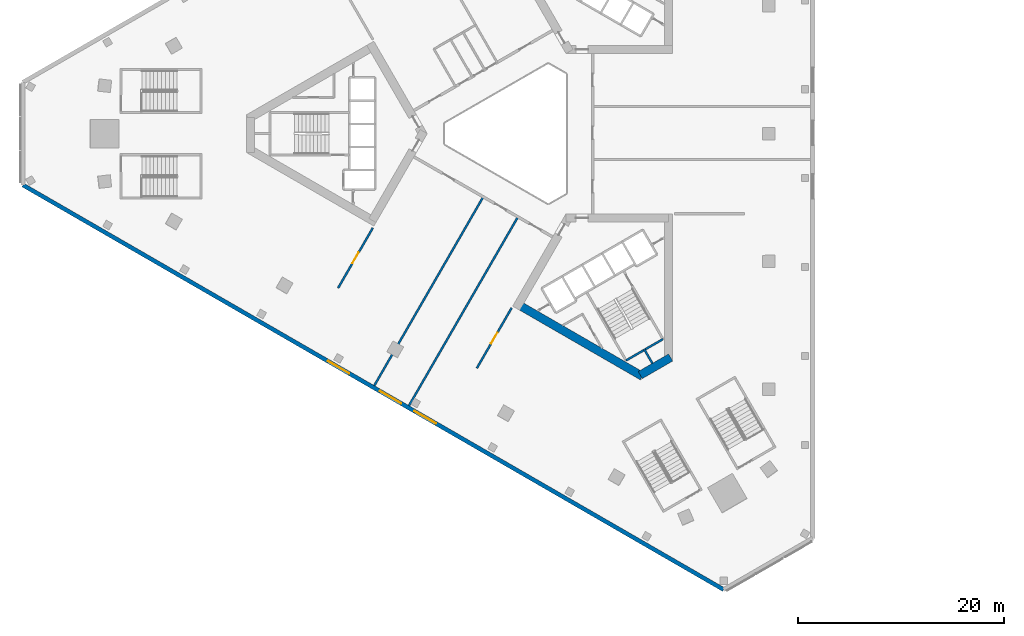
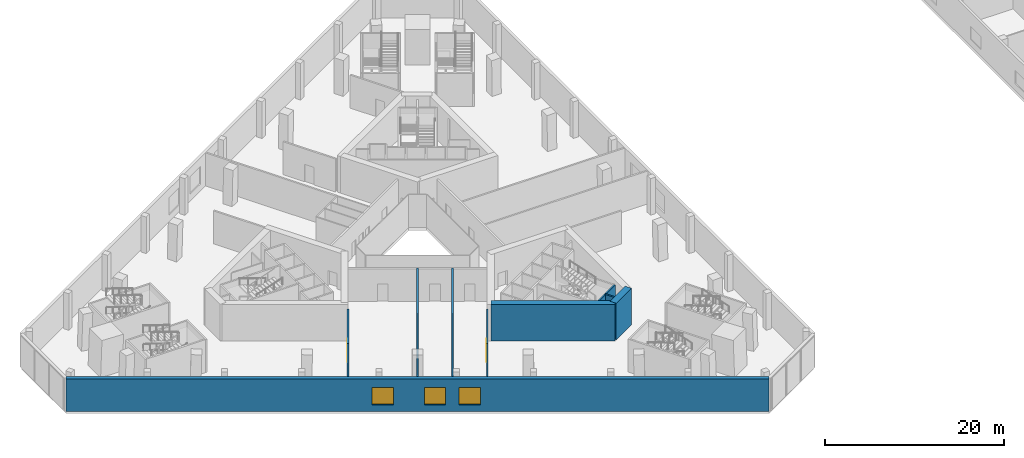
# One storey, part 10 of 36: 9 walls, 3 windows, 2 doors, 5 openings.
"""IFC4 building model written with IfcOpenShell, lengths in metres."""

import ifcopenshell
import ifcopenshell.guid

model = None  # the IFC model being written
_history = None  # IfcOwnerHistory: only IFC2X3 demands one
_inside = {}  # id of a spatial element -> (the spatial element, [elements in it])
_under = {}  # id of a project, library or spatial element -> (it, [spatial elements below it])
_declared = {}  # id of a project -> (the project, [libraries it declares])
_typed = {}  # id of a type object -> (the type object, [elements of that type])
_made_of = {}  # id of a material, layer set ... -> (it, [elements and type objects made of it])


def new_model(schema):
    """Start an empty IFC model of exactly this schema.

    Asked for "IFC4X3", IfcOpenShell would pick the latest addendum, in which some entities
    have other attributes; the version numbers below select the first issue.
    IFC2X3 requires an IfcOwnerHistory on every rooted entity: one is made here for all.
    """
    global model, _history
    if schema == "IFC4X3":
        model = ifcopenshell.file(schema_version=(4, 3, 0, 0))
    else:
        model = ifcopenshell.file(schema=schema)
    _inside.clear()
    _under.clear()
    _declared.clear()
    _typed.clear()
    _made_of.clear()
    _history = None
    if model.schema == "IFC2X3":
        org = make("IfcOrganization", Name="unknown")
        user = make(
            "IfcPersonAndOrganization",
            ThePerson=make("IfcPerson", FamilyName="unknown"),
            TheOrganization=org,
        )
        app = make(
            "IfcApplication",
            ApplicationDeveloper=org,
            Version="unknown",
            ApplicationFullName="unknown",
            ApplicationIdentifier="unknown",
        )
        _history = make(
            "IfcOwnerHistory",
            OwningUser=user,
            OwningApplication=app,
            ChangeAction="ADDED",
            CreationDate=0,
        )
    return model


def make(cls, **values):
    """One entity of the class cls with the attributes given. An attribute that is None is left unset."""
    return model.create_entity(
        cls, **{name: value for name, value in values.items() if value is not None}
    )


def rooted(cls, **values):
    """An entity with a GlobalId (a new one), such as an element, a storey or a relation."""
    return make(cls, GlobalId=ifcopenshell.guid.new(), OwnerHistory=_history, **values)


def si_unit(unit_type, name, prefix=None):
    """IfcSIUnit, for example si_unit("LENGTHUNIT", "METRE", prefix="MILLI")."""
    return make("IfcSIUnit", UnitType=unit_type, Prefix=prefix, Name=name)


def assignment(units):
    """IfcUnitAssignment: the units of a project."""
    return None if units is None else make("IfcUnitAssignment", Units=units)


def point(xyz):
    """IfcCartesianPoint."""
    return None if xyz is None else make("IfcCartesianPoint", Coordinates=xyz)


def direction(xyz):
    """IfcDirection."""
    return None if xyz is None else make("IfcDirection", DirectionRatios=xyz)


def frame(location, z_axis=None, x_axis=None):
    """IfcAxis2Placement3D, a coordinate frame: its origin and axes. An axis left out is left unset."""
    return make(
        "IfcAxis2Placement3D",
        Location=point(location),
        Axis=direction(z_axis),
        RefDirection=direction(x_axis),
    )


def frame_2d(location, x_axis=None):
    """IfcAxis2Placement2D, a coordinate frame in the plane: its origin and x axis."""
    return make(
        "IfcAxis2Placement2D", Location=point(location), RefDirection=direction(x_axis)
    )


def origin():
    """The frame at (0, 0, 0) with its axes left unset."""
    return frame((0.0, 0.0, 0.0))


def place(relative_to, where):
    """IfcLocalPlacement: puts the frame where relative to a parent placement (None: the world)."""
    return make(
        "IfcLocalPlacement", PlacementRelTo=relative_to, RelativePlacement=where
    )


def context(
    kind, dimensions, precision=None, world=None, true_north=None, identifier=None
):
    """IfcGeometricRepresentationContext, for example the 3D "Model" context."""
    return make(
        "IfcGeometricRepresentationContext",
        ContextIdentifier=identifier,
        ContextType=kind,
        CoordinateSpaceDimension=dimensions,
        Precision=precision,
        WorldCoordinateSystem=world,
        TrueNorth=true_north,
    )


def subcontext(parent, identifier, kind, view, scale=None):
    """IfcGeometricRepresentationSubContext, for example "Body" below "Model"."""
    return make(
        "IfcGeometricRepresentationSubContext",
        ContextIdentifier=identifier,
        ContextType=kind,
        ParentContext=parent,
        TargetScale=scale,
        TargetView=view,
    )


def project(units=None, contexts=None):
    """IfcProject with its units and contexts."""
    return rooted(
        "IfcProject",
        Name="project",
        RepresentationContexts=contexts,
        UnitsInContext=assignment(units),
    )


def spatial(cls, under=None, at=None, **own):
    """A site, building, storey or space (cls), placed at a placement, below another one or the project."""
    s = rooted(cls, ObjectPlacement=at, **own)
    if under is not None:
        _under.setdefault(under.id(), (under, []))[1].append(s)
    return s


def profile(cls, at=None, kind="AREA", **sizes):
    """A parametric profile (cls). Its sizes go by their IFC names, for example OverallWidth=200.0."""
    return make(cls, ProfileType=kind, Position=at, **sizes)


def rectangle(**sizes):
    """IfcRectangleProfileDef."""
    return profile("IfcRectangleProfileDef", **sizes)


def extrude(swept, where, along, depth):
    """IfcExtrudedAreaSolid: the profile swept, set in the frame where, extruded along a direction by depth."""
    return make(
        "IfcExtrudedAreaSolid",
        SweptArea=swept,
        Position=where,
        ExtrudedDirection=direction(along),
        Depth=depth,
    )


def shape(context_of_items, identifier, shape_type, items):
    """IfcShapeRepresentation: the items that make up one representation, for example the "Body"."""
    return make(
        "IfcShapeRepresentation",
        ContextOfItems=context_of_items,
        RepresentationIdentifier=identifier,
        RepresentationType=shape_type,
        Items=items,
    )


def material(Name=None, Category=None):
    """IfcMaterial."""
    return make("IfcMaterial", Name=Name, Category=Category)


def layer(
    of_material, thickness, ventilated=None, Name=None, Category=None, Priority=None
):
    """IfcMaterialLayer: one layer of a wall or slab, of a material (None: an air gap)."""
    return make(
        "IfcMaterialLayer",
        Material=of_material,
        LayerThickness=thickness,
        IsVentilated=ventilated,
        Name=Name,
        Category=Category,
        Priority=Priority,
    )


def layer_set(layers, Name=None):
    """IfcMaterialLayerSet."""
    return make("IfcMaterialLayerSet", MaterialLayers=layers, LayerSetName=Name)


def made_of(thing, what):
    """Note that an element or type object is made of a material, layer set ...; save() writes the relation."""
    if what is not None:
        _made_of.setdefault(what.id(), (what, []))[1].append(thing)
    return thing


def type_object(cls, material=None, **own):
    """A type object (cls), such as IfcWallType, which elements share."""
    return made_of(rooted(cls, **own), material)


def element(
    cls,
    number,
    at=None,
    inside=None,
    cuts=None,
    type_object=None,
    material=None,
    context=None,
    identifier="Body",
    shape_type=None,
    held_by="IfcProductDefinitionShape",
    body=None,
    shapes=None,
    **own,
):
    """One element of the class cls, such as IfcWall. Its Tag is "e" and its number.

    at: its placement. inside: the storey or other place that contains it. cuts: it is an
    opening in that element (IfcRelVoidsElement). A single representation is given by context,
    identifier, shape_type and body (its items); several are given by shapes. held_by: the class
    of the entity that holds the representations. save() writes the other relations.
    """
    e = rooted(cls, Tag="e%d" % number, ObjectPlacement=at, **own)
    if body is not None:
        shapes = [shape(context, identifier, shape_type, body)]
    if shapes is not None:
        e.Representation = make(held_by, Representations=shapes)
    if inside is not None:
        _inside.setdefault(inside.id(), (inside, []))[1].append(e)
    if cuts is not None:
        rooted(
            "IfcRelVoidsElement", RelatingBuildingElement=cuts, RelatedOpeningElement=e
        )
    if type_object is not None:
        _typed.setdefault(type_object.id(), (type_object, []))[1].append(e)
    return made_of(e, material)


def fill(opening, filler):
    """IfcRelFillsElement: the door or window that sits in an opening."""
    return rooted(
        "IfcRelFillsElement",
        RelatingOpeningElement=opening,
        RelatedBuildingElement=filler,
    )


def aggregate(whole, parts):
    """IfcRelAggregates: a whole, such as a stair, and the parts it consists of."""
    return rooted("IfcRelAggregates", RelatingObject=whole, RelatedObjects=parts)


def save(model, path):
    """Write the relations noted so far, then the file.

    IfcRelAggregates (storeys below a building ...), IfcRelContainedInSpatialStructure (elements
    in a storey), IfcRelDefinesByType, IfcRelAssociatesMaterial and IfcRelDeclares: one each for
    every whole, place, type object, material and project.
    """
    for whole, parts in _under.values():
        aggregate(whole, parts)
    for where, things in _inside.values():
        rooted(
            "IfcRelContainedInSpatialStructure",
            RelatedElements=things,
            RelatingStructure=where,
        )
    for kind, things in _typed.values():
        rooted("IfcRelDefinesByType", RelatedObjects=things, RelatingType=kind)
    for what, things in _made_of.values():
        rooted("IfcRelAssociatesMaterial", RelatedObjects=things, RelatingMaterial=what)
    for by, libraries in _declared.values():
        rooted("IfcRelDeclares", RelatingContext=by, RelatedDefinitions=libraries)
    model.write(path)


model = new_model("IFC4")

# Units and contexts
model_context = context("Model", 3, precision=1e-05, world=origin(), true_north=direction((0.0, 1.0)))
body_context = subcontext(model_context, "Body", "Model", "MODEL_VIEW")
ifc_project = project(units=[si_unit("LENGTHUNIT", "METRE"), si_unit("AREAUNIT", "SQUARE_METRE"), si_unit("VOLUMEUNIT", "CUBIC_METRE"), si_unit("PLANEANGLEUNIT", "RADIAN"), si_unit("MASSUNIT", "GRAM", prefix="KILO")], contexts=[model_context])

# Site, building, storey
site_placement = place(None, origin())
site = spatial("IfcSite", under=ifc_project, at=site_placement, CompositionType="ELEMENT")
building_placement = place(site_placement, origin())
building = spatial("IfcBuilding", under=site, at=building_placement, Name="Jabali Bay Hotel Tower and Convention Centre", CompositionType="ELEMENT")
storey_placement = place(building_placement, frame((0.0, 0.0, 20.39990234375)))
storey = spatial("IfcBuildingStorey", under=building, at=storey_placement, Name="L03", CompositionType="ELEMENT", Elevation=20.39990234375)

# Walls
ifc_material_1 = material(Name="Concrete C40", Category="concrete")
ifc_layer_1 = layer(ifc_material_1, 0.199951171875)
ifc_layer_set_1 = layer_set([ifc_layer_1], Name="Concrete C40")
wall_type_1 = type_object("IfcWallType", Name="Core partition wall 200", PredefinedType="PARTITIONING", material=ifc_layer_set_1)
wall_1_placement = place(storey_placement, frame((87.090087890625, 59.0595703125, 0.0), z_axis=(0.0, 0.0, 1.0), x_axis=(0.499956811548, -0.866050337213, 0.0)))
element("IfcWall", 1, at=wall_1_placement, inside=storey, type_object=wall_type_1, Name="Core wall 2.5 L03", PredefinedType="PARTITIONING", context=body_context, shape_type="SweptSolid", body=[
    extrude(rectangle(XDim=1.623291015625, YDim=0.199951171875, at=frame_2d((0.8115234375, 0.0))), origin(), (0.0, 0.0, 1.0), 4.5),
])
ifc_layer_2 = layer(ifc_material_1, 0.199951171875)
ifc_layer_set_2 = layer_set([ifc_layer_2], Name="Concrete C40")
wall_type_2 = type_object("IfcWallType", Name="Core stair wall 200", PredefinedType="SOLIDWALL", material=ifc_layer_set_2)
wall_2_placement = place(storey_placement, frame((85.343017578125, 57.935302734375, 0.0), z_axis=(0.0, 0.0, 1.0), x_axis=(0.866004344652, 0.500036473714, 0.0)))
element("IfcWall", 2, at=wall_2_placement, inside=storey, type_object=wall_type_2, Name="Core wall 2.17 L03", PredefinedType="SOLIDWALL", context=body_context, shape_type="SweptSolid", body=[
    extrude(rectangle(XDim=4.150146484375, YDim=0.199951171875, at=frame_2d((2.0751953125, 0.0))), origin(), (0.0, 0.0, 1.0), 4.5),
])
ifc_material_2 = material(Name="Concrete C60", Category="concrete")
ifc_layer_3 = layer(ifc_material_2, 0.800048828125)
ifc_layer_set_3 = layer_set([ifc_layer_3], Name="Concrete C60")
wall_type_3 = type_object("IfcWallType", Name="Core wall 800", PredefinedType="SHEAR", material=ifc_layer_set_3)
wall_3_placement = place(storey_placement, frame((74.8564453125, 63.36279296875, 0.0), z_axis=(0.0, 0.0, 1.0), x_axis=(0.866029478545, -0.499992942241, 0.0)))
element("IfcWall", 3, at=wall_3_placement, inside=storey, type_object=wall_type_3, Name="Core wall 3.2 L03", PredefinedType="SHEAR", context=body_context, shape_type="SweptSolid", body=[
    extrude(rectangle(XDim=13.933349609375, YDim=0.800048828125, at=frame_2d((6.966796875, 0.0))), origin(), (0.0, 0.0, 1.0), 5.0),
])
wall_4_placement = place(storey_placement, frame((86.72314453125, 56.51171875, 0.0), z_axis=(0.0, 0.0, 1.0), x_axis=(0.866034355626, 0.499984494636, 0.0)))
element("IfcWall", 4, at=wall_4_placement, inside=storey, type_object=wall_type_3, Name="Core wall 3.3 L03", PredefinedType="SHEAR", context=body_context, shape_type="SweptSolid", body=[
    extrude(rectangle(XDim=3.4140625, YDim=0.800048828125, at=frame_2d((1.70703125, 0.0))), origin(), (0.0, 0.0, 1.0), 5.0),
])
ifc_material_3 = material(Name="Plasterboard on steel stud", Category="steel")
ifc_layer_4 = layer(ifc_material_3, 0.199951171875)
ifc_layer_set_4 = layer_set([ifc_layer_4], Name="Plasterboard on steel stud")
wall_type_4 = type_object("IfcWallType", Name="Partition 200 party", PredefinedType="PARTITIONING", material=ifc_layer_set_4)
wall_5_placement = place(storey_placement, frame((60.849609375, 55.49072265625, 0.0), z_axis=(0.0, 0.0, 1.0), x_axis=(0.499994584841, 0.866028530205, 0.0)))
element("IfcWall", 5, at=wall_5_placement, inside=storey, type_object=wall_type_4, Name="Partition P01 L03 012", PredefinedType="PARTITIONING", context=body_context, shape_type="SweptSolid", body=[
    extrude(rectangle(XDim=21.200927734375, YDim=0.199951171875, at=frame_2d((10.6005859375, 0.0))), origin(), (0.0, 0.0, 1.0), 4.5),
])

# Wall, opening, door
wall_6_placement = place(storey_placement, frame((60.71044921875, 70.83837890625, 0.0), z_axis=(0.0, 0.0, 1.0), x_axis=(-0.499981745636, -0.86603594269, 0.0)))
wall_6 = element("IfcWall", 6, at=wall_6_placement, inside=storey, type_object=wall_type_4, Name="Partition P01 L03 013", PredefinedType="PARTITIONING", context=body_context, shape_type="SweptSolid", body=[
    extrude(rectangle(XDim=6.764892578125, YDim=0.199951171875, at=frame_2d((3.38232421875, 0.0))), origin(), (0.0, 0.0, 1.0), 4.5),
])
opening_1_placement = place(wall_6_placement, frame((2.781982421875, 0.0, 0.0)))
opening_1 = element("IfcOpeningElement", 7, at=opening_1_placement, cuts=wall_6, Name="Opening 0312", PredefinedType="OPENING", context=body_context, shape_type="SweptSolid", body=[
    extrude(rectangle(XDim=1.199951171875, YDim=2.39990234375, at=frame_2d((0.60009765625, 1.199951171875))), frame((0.0, 0.1103515625, 0.0), z_axis=(0.0, -1.0, 0.0), x_axis=(1.0, 0.0, 0.0)), (0.0, 0.0, 1.0), 0.220947265625),
])
ifc_material_4 = material(Name="Timber", Category="wood")
door_type = type_object("IfcDoorType", Name="Public room door 1200 x 2400", OperationType="NOTDEFINED", PredefinedType="NOTDEFINED", material=ifc_material_4)
door_1_placement = place(opening_1_placement, origin())
door_1 = element("IfcDoor", 8, at=door_1_placement, inside=storey, type_object=door_type, Name="Door 0312", OperationType="SINGLE_SWING_LEFT", OverallHeight=2.39990234375, OverallWidth=1.199951171875, PredefinedType="NOTDEFINED", context=body_context, shape_type="SweptSolid", body=[
    extrude(rectangle(XDim=1.199951171875, YDim=2.39990234375, at=frame_2d((0.60009765625, 1.199951171875))), frame((0.0, 0.02490234375, 0.0), z_axis=(0.0, -1.0, 0.0), x_axis=(1.0, 0.0, 0.0)), (0.0, 0.0, 1.0), 0.050048828125),
])
fill(opening_1, door_1)

# Wall
wall_7_placement = place(storey_placement, frame((64.224609375, 53.5419921875, 0.0), z_axis=(0.0, 0.0, 1.0), x_axis=(0.499994584841, 0.866028530205, 0.0)))
element("IfcWall", 9, at=wall_7_placement, inside=storey, type_object=wall_type_4, Name="Partition P01 L03 014", PredefinedType="PARTITIONING", context=body_context, shape_type="SweptSolid", body=[
    extrude(rectangle(XDim=21.200927734375, YDim=0.199951171875, at=frame_2d((10.6005859375, 0.0))), origin(), (0.0, 0.0, 1.0), 4.5),
])

# Wall, opening, door
wall_8_placement = place(storey_placement, frame((70.828125, 57.185546875, 0.0), z_axis=(0.0, 0.0, 1.0), x_axis=(0.499981745636, 0.86603594269, 0.0)))
wall_8 = element("IfcWall", 10, at=wall_8_placement, inside=storey, type_object=wall_type_4, Name="Partition P01 L03 015", PredefinedType="PARTITIONING", context=body_context, shape_type="SweptSolid", body=[
    extrude(rectangle(XDim=6.764892578125, YDim=0.199951171875, at=frame_2d((3.38232421875, 0.0))), origin(), (0.0, 0.0, 1.0), 4.5),
])
opening_2_placement = place(wall_8_placement, frame((2.781982421875, 0.0, 0.0)))
opening_2 = element("IfcOpeningElement", 11, at=opening_2_placement, cuts=wall_8, Name="Opening 0315", PredefinedType="OPENING", context=body_context, shape_type="SweptSolid", body=[
    extrude(rectangle(XDim=1.199951171875, YDim=2.39990234375, at=frame_2d((0.60009765625, 1.199951171875))), frame((0.0, 0.1103515625, 0.0), z_axis=(0.0, -1.0, 0.0), x_axis=(1.0, 0.0, 0.0)), (0.0, 0.0, 1.0), 0.220947265625),
])
door_2_placement = place(opening_2_placement, origin())
door_2 = element("IfcDoor", 12, at=door_2_placement, inside=storey, type_object=door_type, Name="Door 0315", OperationType="SINGLE_SWING_LEFT", OverallHeight=2.39990234375, OverallWidth=1.199951171875, PredefinedType="NOTDEFINED", context=body_context, shape_type="SweptSolid", body=[
    extrude(rectangle(XDim=1.199951171875, YDim=2.39990234375, at=frame_2d((0.60009765625, 1.199951171875))), frame((0.0, 0.02490234375, 0.0), z_axis=(0.0, -1.0, 0.0), x_axis=(1.0, 0.0, 0.0)), (0.0, 0.0, 1.0), 0.050048828125),
])
fill(opening_2, door_2)

# Wall, openings, windows
ifc_layer_5 = layer(ifc_material_1, 0.39990234375)
ifc_layer_set_5 = layer_set([ifc_layer_5], Name="Concrete C40")
wall_type_5 = type_object("IfcWallType", Name="Podium external wall 400", PredefinedType="SOLIDWALL", material=ifc_layer_set_5)
wall_9_placement = place(storey_placement, frame((94.83984375, 35.636474609375, 0.0), z_axis=(0.0, 0.0, 1.0), x_axis=(-0.866025599265, 0.499999661418, 0.0)))
wall_9 = element("IfcWall", 13, at=wall_9_placement, inside=storey, type_object=wall_type_5, Name="External wall south-west face L03", PredefinedType="SOLIDWALL", context=body_context, shape_type="SweptSolid", body=[
    extrude(rectangle(XDim=78.72705078125, YDim=0.39990234375, at=frame_2d((39.363525390625, 0.0))), origin(), (0.0, 0.0, 1.0), 4.5),
])
opening_3_placement = place(wall_9_placement, frame((42.060546875, 0.0, 0.89990234375)))
opening_3 = element("IfcOpeningElement", 14, at=opening_3_placement, cuts=wall_9, Name="Opening W3", PredefinedType="OPENING", context=body_context, shape_type="SweptSolid", body=[
    extrude(rectangle(XDim=2.39990234375, YDim=2.39990234375, at=frame_2d((1.199951171875, 1.199951171875))), frame((0.0, 0.21044921875, 0.0), z_axis=(0.0, -1.0, 0.0), x_axis=(1.0, 0.0, 0.0)), (0.0, 0.0, 1.0), 0.4208984375),
])
opening_4_placement = place(wall_9_placement, frame((36.21484375, 0.0, 0.89990234375)))
opening_4 = element("IfcOpeningElement", 15, at=opening_4_placement, cuts=wall_9, Name="Opening W3", PredefinedType="OPENING", context=body_context, shape_type="SweptSolid", body=[
    extrude(rectangle(XDim=2.39990234375, YDim=2.39990234375, at=frame_2d((1.199951171875, 1.199951171875))), frame((0.0, 0.21044921875, 0.0), z_axis=(0.0, -1.0, 0.0), x_axis=(1.0, 0.0, 0.0)), (0.0, 0.0, 1.0), 0.4208984375),
])
opening_5_placement = place(wall_9_placement, frame((32.31787109375, 0.0, 0.89990234375)))
opening_5 = element("IfcOpeningElement", 16, at=opening_5_placement, cuts=wall_9, Name="Opening W3", PredefinedType="OPENING", context=body_context, shape_type="SweptSolid", body=[
    extrude(rectangle(XDim=2.39990234375, YDim=2.39990234375, at=frame_2d((1.199951171875, 1.199951171875))), frame((0.0, 0.21044921875, 0.0), z_axis=(0.0, -1.0, 0.0), x_axis=(1.0, 0.0, 0.0)), (0.0, 0.0, 1.0), 0.4208984375),
])
ifc_material_5 = material(Name="Glass", Category="glass")
window_type = type_object("IfcWindowType", Name="Podium window 2400 x 2400", PartitioningType="SINGLE_PANEL", PredefinedType="WINDOW", material=ifc_material_5)
window_1_placement = place(opening_3_placement, origin())
window_1 = element("IfcWindow", 17, at=window_1_placement, inside=storey, type_object=window_type, Name="Window", OverallHeight=2.39990234375, OverallWidth=2.39990234375, PartitioningType="SINGLE_PANEL", PredefinedType="WINDOW", context=body_context, shape_type="SweptSolid", body=[
    extrude(rectangle(XDim=2.39990234375, YDim=2.39990234375, at=frame_2d((1.199951171875, 1.199951171875))), frame((0.0, 0.030029296875, 0.0), z_axis=(0.0, -1.0, 0.0), x_axis=(1.0, 0.0, 0.0)), (0.0, 0.0, 1.0), 0.06005859375),
])
fill(opening_3, window_1)
window_2_placement = place(opening_4_placement, origin())
window_2 = element("IfcWindow", 18, at=window_2_placement, inside=storey, type_object=window_type, Name="Window", OverallHeight=2.39990234375, OverallWidth=2.39990234375, PartitioningType="SINGLE_PANEL", PredefinedType="WINDOW", context=body_context, shape_type="SweptSolid", body=[
    extrude(rectangle(XDim=2.39990234375, YDim=2.39990234375, at=frame_2d((1.199951171875, 1.199951171875))), frame((0.0, 0.030029296875, 0.0), z_axis=(0.0, -1.0, 0.0), x_axis=(1.0, 0.0, 0.0)), (0.0, 0.0, 1.0), 0.06005859375),
])
fill(opening_4, window_2)
window_3_placement = place(opening_5_placement, origin())
window_3 = element("IfcWindow", 19, at=window_3_placement, inside=storey, type_object=window_type, Name="Window", OverallHeight=2.39990234375, OverallWidth=2.39990234375, PartitioningType="SINGLE_PANEL", PredefinedType="WINDOW", context=body_context, shape_type="SweptSolid", body=[
    extrude(rectangle(XDim=2.39990234375, YDim=2.39990234375, at=frame_2d((1.199951171875, 1.199951171875))), frame((0.0, 0.030029296875, 0.0), z_axis=(0.0, -1.0, 0.0), x_axis=(1.0, 0.0, 0.0)), (0.0, 0.0, 1.0), 0.06005859375),
])
fill(opening_5, window_3)

save(model, "model.ifc")
